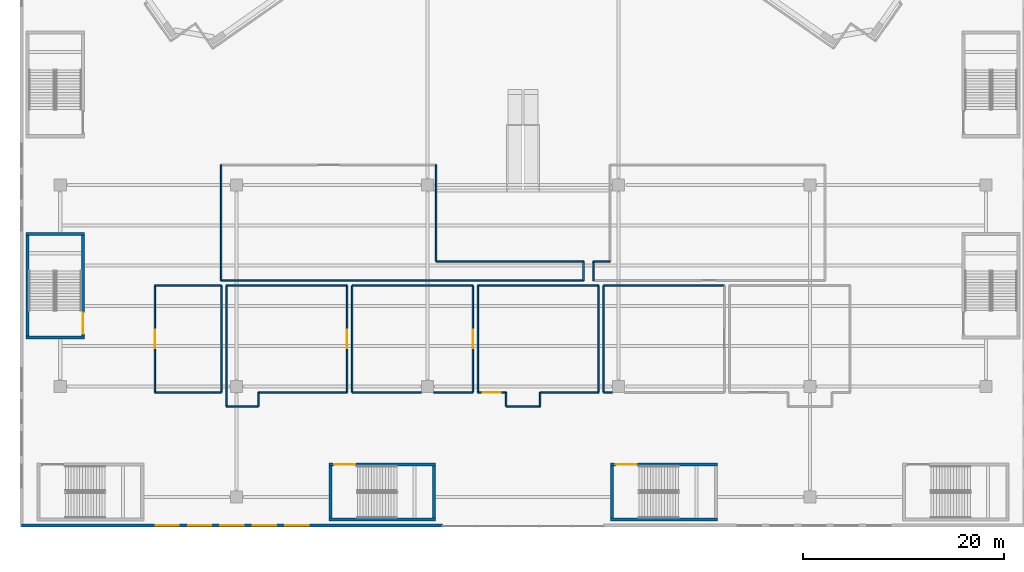
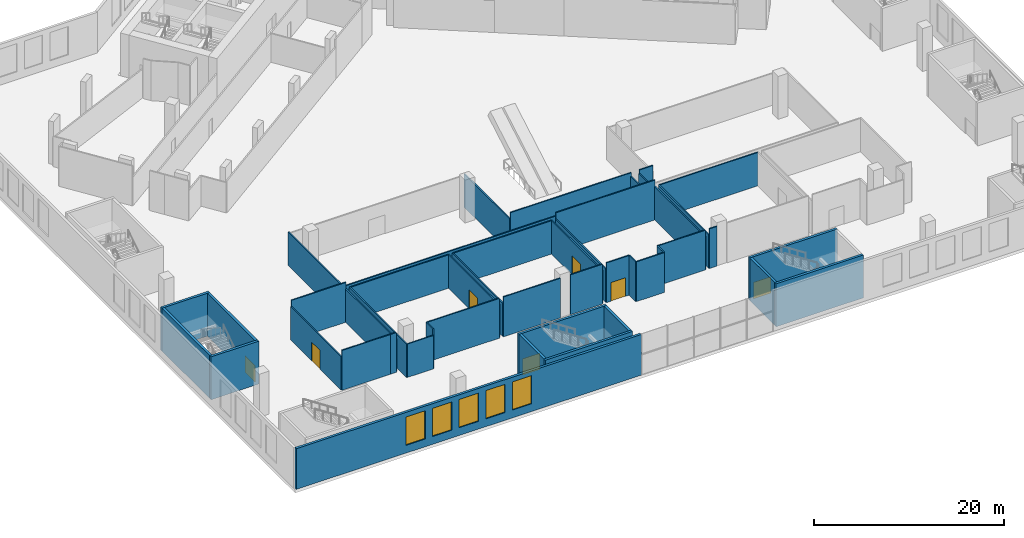
# One storey, part 5 of 26: 46 walls, 7 doors, 5 windows, 12 openings.
"""IFC4 building model written with IfcOpenShell, lengths in metres."""

from ifc_helpers import new_model, si_unit, direction, frame, frame_2d, origin, place, context, subcontext, project, spatial, rectangle, extrude, material, layer, layer_set, type_object, element, fill, save


model = new_model("IFC4")

# Units and contexts
model_context = context("Model", 3, precision=1e-05, world=origin(), true_north=direction((0.0, 1.0)))
body_context = subcontext(model_context, "Body", "Model", "MODEL_VIEW")
ifc_project = project(units=[si_unit("LENGTHUNIT", "METRE"), si_unit("AREAUNIT", "SQUARE_METRE"), si_unit("VOLUMEUNIT", "CUBIC_METRE"), si_unit("PLANEANGLEUNIT", "RADIAN"), si_unit("MASSUNIT", "GRAM", prefix="KILO")], contexts=[model_context])

# Site, building, storey
site_placement = place(None, origin())
site = spatial("IfcSite", under=ifc_project, at=site_placement, CompositionType="ELEMENT")
building_placement = place(site_placement, origin())
building = spatial("IfcBuilding", under=site, at=building_placement, Name="Tel Ilan Convention Tower", CompositionType="ELEMENT")
storey_placement = place(building_placement, frame((0.0, 0.0, 32.0)))
storey = spatial("IfcBuildingStorey", under=building, at=storey_placement, Name="L04", CompositionType="ELEMENT", Elevation=32.0)

# Walls
ifc_material_1 = material(Name="Plasterboard on Steel Studs", Category="steel")
ifc_layer_1 = layer(ifc_material_1, 0.14990234375)
ifc_layer_set_1 = layer_set([ifc_layer_1], Name="Fire-rated Partition 150 EI 60")
wall_type_1 = type_object("IfcWallType", Name="Fire-rated Partition 150 EI 60", PredefinedType="PARTITIONING", material=ifc_layer_set_1)
wall_1_placement = place(storey_placement, frame((-30.698974609375, -68.60107421875, 0.0), z_axis=(0.0, 0.0, 1.0), x_axis=(1.0, 0.0, 0.0)))
element("IfcWall", 1, at=wall_1_placement, inside=storey, type_object=wall_type_1, Name="Partition 027", PredefinedType="PARTITIONING", context=body_context, shape_type="SweptSolid", body=[
    extrude(rectangle(XDim=0.698974609375, YDim=0.14990234375, at=frame_2d((0.349609375, 0.0))), origin(), (0.0, 0.0, 1.0), 5.10009765625),
])
wall_2_placement = place(storey_placement, frame((-29.9990234375, -68.60009765625, 0.0), z_axis=(0.0, 0.0, 1.0), x_axis=(0.0, 1.0, 0.0)))
element("IfcWall", 2, at=wall_2_placement, inside=storey, type_object=wall_type_1, Name="Partition 028", PredefinedType="PARTITIONING", context=body_context, shape_type="SweptSolid", body=[
    extrude(rectangle(XDim=10.60009765625, YDim=0.14990234375, at=frame_2d((5.300048828125, 0.0))), origin(), (0.0, 0.0, 1.0), 4.280029296875),
])
wall_3_placement = place(storey_placement, frame((-30.0, -57.9990234375, 0.0), z_axis=(0.0, 0.0, 1.0), x_axis=(-1.0, 0.0, 0.0)))
element("IfcWall", 3, at=wall_3_placement, inside=storey, type_object=wall_type_1, Name="Partition 029", PredefinedType="PARTITIONING", context=body_context, shape_type="SweptSolid", body=[
    extrude(rectangle(XDim=6.59912109375, YDim=0.14990234375, at=frame_2d((3.299560546875, 0.0))), origin(), (0.0, 0.0, 1.0), 5.10009765625),
])

# Wall, opening, door
wall_4_placement = place(storey_placement, frame((-17.4990234375, -68.59912109375, 0.0), z_axis=(0.0, 0.0, 1.0), x_axis=(0.0, 1.0, 0.0)))
wall_4 = element("IfcWall", 4, at=wall_4_placement, inside=storey, type_object=wall_type_1, Name="Partition 030", PredefinedType="PARTITIONING", context=body_context, shape_type="SweptSolid", body=[
    extrude(rectangle(XDim=10.59912109375, YDim=0.14990234375, at=frame_2d((5.299560546875, 0.0))), origin(), (0.0, 0.0, 1.0), 4.280029296875),
])
opening_1_placement = place(wall_4_placement, frame((4.3994140625, 0.0, 0.0)))
opening_1 = element("IfcOpeningElement", 5, at=opening_1_placement, cuts=wall_4, Name="Opening L04-008", PredefinedType="OPENING", context=body_context, shape_type="SweptSolid", body=[
    extrude(rectangle(XDim=1.800048828125, YDim=2.39990234375, at=frame_2d((0.89990234375, 1.199951171875))), frame((0.0, 0.0849609375, 0.0), z_axis=(0.0, -1.0, 0.0), x_axis=(1.0, 0.0, 0.0)), (0.0, 0.0, 1.0), 0.169921875),
])
ifc_material_2 = material(Name="Timber Door Leaf in Steel Frame", Category="steel")
door_type_1 = type_object("IfcDoorType", Name="Hall Double Fire Door 1800x2400", OperationType="NOTDEFINED", PredefinedType="DOOR", material=ifc_material_2)
door_1_placement = place(opening_1_placement, origin())
door_1 = element("IfcDoor", 6, at=door_1_placement, inside=storey, type_object=door_type_1, Name="Door L04-008", OperationType="DOUBLE_DOOR_SINGLE_SWING", OverallHeight=2.39990234375, OverallWidth=1.800048828125, PredefinedType="DOOR", context=body_context, shape_type="SweptSolid", body=[
    extrude(rectangle(XDim=1.800048828125, YDim=2.39990234375, at=frame_2d((0.89990234375, 1.199951171875))), frame((0.0, 0.02490234375, 0.0), z_axis=(0.0, -1.0, 0.0), x_axis=(1.0, 0.0, 0.0)), (0.0, 0.0, 1.0), 0.050048828125),
])
fill(opening_1, door_1)

# Walls
for number, where, z_axis, x_axis, name in (
    (7, (-17.5, -57.9990234375, 0.0), (0.0, 0.0, 1.0), (-1.0, 0.0, 0.0), "Partition 031"),
    (8, (-29.5009765625, -58.0, 0.0), (0.0, 0.0, 1.0), (0.0, -1.0, 0.0), "Partition 032"),
):
    element("IfcWall", number, at=place(storey_placement, frame(where, z_axis=z_axis, x_axis=x_axis)), inside=storey, type_object=wall_type_1, Name=name, PredefinedType="PARTITIONING", context=body_context, shape_type="SweptSolid", body=[
        extrude(rectangle(XDim=12.0, YDim=0.14990234375, at=frame_2d((6.0, 0.0))), origin(), (0.0, 0.0, 1.0), 4.280029296875),
    ])
wall_5_placement = place(storey_placement, frame((-29.5, -70.0009765625, 0.0), z_axis=(0.0, 0.0, 1.0), x_axis=(1.0, 0.0, 0.0)))
element("IfcWall", 9, at=wall_5_placement, inside=storey, type_object=wall_type_1, Name="Partition 033", PredefinedType="PARTITIONING", context=body_context, shape_type="SweptSolid", body=[
    extrude(rectangle(XDim=3.198974609375, YDim=0.14990234375, at=frame_2d((1.599609375, 0.0))), origin(), (0.0, 0.0, 1.0), 4.280029296875),
])

# Wall, opening, door
wall_6_placement = place(storey_placement, frame((-4.9990234375, -68.59912109375, 0.0), z_axis=(0.0, 0.0, 1.0), x_axis=(0.0, 1.0, 0.0)))
wall_6 = element("IfcWall", 10, at=wall_6_placement, inside=storey, type_object=wall_type_1, Name="Partition 034", PredefinedType="PARTITIONING", context=body_context, shape_type="SweptSolid", body=[
    extrude(rectangle(XDim=10.59912109375, YDim=0.14990234375, at=frame_2d((5.299560546875, 0.0))), origin(), (0.0, 0.0, 1.0), 4.280029296875),
])
opening_2_placement = place(wall_6_placement, frame((4.3994140625, 0.0, 0.0)))
opening_2 = element("IfcOpeningElement", 11, at=opening_2_placement, cuts=wall_6, Name="Opening L04-009", PredefinedType="OPENING", context=body_context, shape_type="SweptSolid", body=[
    extrude(rectangle(XDim=1.800048828125, YDim=2.39990234375, at=frame_2d((0.89990234375, 1.199951171875))), frame((0.0, 0.0849609375, 0.0), z_axis=(0.0, -1.0, 0.0), x_axis=(1.0, 0.0, 0.0)), (0.0, 0.0, 1.0), 0.169921875),
])
door_2_placement = place(opening_2_placement, origin())
door_2 = element("IfcDoor", 12, at=door_2_placement, inside=storey, type_object=door_type_1, Name="Door L04-009", OperationType="DOUBLE_DOOR_SINGLE_SWING", OverallHeight=2.39990234375, OverallWidth=1.800048828125, PredefinedType="DOOR", context=body_context, shape_type="SweptSolid", body=[
    extrude(rectangle(XDim=1.800048828125, YDim=2.39990234375, at=frame_2d((0.89990234375, 1.199951171875))), frame((0.0, 0.02490234375, 0.0), z_axis=(0.0, -1.0, 0.0), x_axis=(1.0, 0.0, 0.0)), (0.0, 0.0, 1.0), 0.050048828125),
])
fill(opening_2, door_2)

# Walls
wall_7_placement = place(storey_placement, frame((-5.0, -57.9990234375, 0.0), z_axis=(0.0, 0.0, 1.0), x_axis=(-1.0, 0.0, 0.0)))
element("IfcWall", 13, at=wall_7_placement, inside=storey, type_object=wall_type_1, Name="Partition 035", PredefinedType="PARTITIONING", context=body_context, shape_type="SweptSolid", body=[
    extrude(rectangle(XDim=12.0, YDim=0.14990234375, at=frame_2d((6.0, 0.0))), origin(), (0.0, 0.0, 1.0), 4.280029296875),
])
for number, where, z_axis, x_axis, name in (
    (14, (-17.0009765625, -58.0, 0.0), (0.0, 0.0, 1.0), (0.0, -1.0, 0.0), "Partition 036"),
    (15, (7.5009765625, -68.59912109375, 0.0), (0.0, 0.0, 1.0), (0.0, 1.0, 0.0), "Partition 037"),
):
    element("IfcWall", number, at=place(storey_placement, frame(where, z_axis=z_axis, x_axis=x_axis)), inside=storey, type_object=wall_type_1, Name=name, PredefinedType="PARTITIONING", context=body_context, shape_type="SweptSolid", body=[
        extrude(rectangle(XDim=10.59912109375, YDim=0.14990234375, at=frame_2d((5.299560546875, 0.0))), origin(), (0.0, 0.0, 1.0), 4.280029296875),
    ])
wall_8_placement = place(storey_placement, frame((7.5, -57.9990234375, 0.0), z_axis=(0.0, 0.0, 1.0), x_axis=(-1.0, 0.0, 0.0)))
element("IfcWall", 16, at=wall_8_placement, inside=storey, type_object=wall_type_1, Name="Partition 038", PredefinedType="PARTITIONING", context=body_context, shape_type="SweptSolid", body=[
    extrude(rectangle(XDim=12.0, YDim=0.14990234375, at=frame_2d((6.0, 0.0))), origin(), (0.0, 0.0, 1.0), 5.10009765625),
])
wall_9_placement = place(storey_placement, frame((-4.5009765625, -58.0, 0.0), z_axis=(0.0, 0.0, 1.0), x_axis=(0.0, -1.0, 0.0)))
element("IfcWall", 17, at=wall_9_placement, inside=storey, type_object=wall_type_1, Name="Partition 039", PredefinedType="PARTITIONING", context=body_context, shape_type="SweptSolid", body=[
    extrude(rectangle(XDim=10.59912109375, YDim=0.14990234375, at=frame_2d((5.299560546875, 0.0))), origin(), (0.0, 0.0, 1.0), 4.280029296875),
])
wall_10_placement = place(storey_placement, frame((20.0, -57.9990234375, 0.0), z_axis=(0.0, 0.0, 1.0), x_axis=(-1.0, 0.0, 0.0)))
element("IfcWall", 18, at=wall_10_placement, inside=storey, type_object=wall_type_1, Name="Partition 041", PredefinedType="PARTITIONING", context=body_context, shape_type="SweptSolid", body=[
    extrude(rectangle(XDim=12.0, YDim=0.14990234375, at=frame_2d((6.0, 0.0))), origin(), (0.0, 0.0, 1.0), 4.280029296875),
])
wall_11_placement = place(storey_placement, frame((7.9990234375, -58.0, 0.0), z_axis=(0.0, 0.0, 1.0), x_axis=(0.0, -1.0, 0.0)))
element("IfcWall", 19, at=wall_11_placement, inside=storey, type_object=wall_type_1, Name="Partition 042", PredefinedType="PARTITIONING", context=body_context, shape_type="SweptSolid", body=[
    extrude(rectangle(XDim=10.59912109375, YDim=0.14990234375, at=frame_2d((5.299560546875, 0.0))), origin(), (0.0, 0.0, 1.0), 4.280029296875),
])
wall_12_placement = place(storey_placement, frame((-30.0009765625, -46.0, 0.0), z_axis=(0.0, 0.0, 1.0), x_axis=(0.0, -1.0, 0.0)))
element("IfcWall", 20, at=wall_12_placement, inside=storey, type_object=wall_type_1, Name="Partition 047", PredefinedType="PARTITIONING", context=body_context, shape_type="SweptSolid", body=[
    extrude(rectangle(XDim=11.5, YDim=0.14990234375, at=frame_2d((5.75, 0.0))), origin(), (0.0, 0.0, 1.0), 4.280029296875),
])
wall_13_placement = place(storey_placement, frame((-30.0, -57.5009765625, 0.0), z_axis=(0.0, 0.0, 1.0), x_axis=(1.0, 0.0, 0.0)))
element("IfcWall", 21, at=wall_13_placement, inside=storey, type_object=wall_type_1, Name="Partition 048", PredefinedType="PARTITIONING", context=body_context, shape_type="SweptSolid", body=[
    extrude(rectangle(XDim=36.0, YDim=0.14990234375, at=frame_2d((18.0, 0.0))), origin(), (0.0, 0.0, 1.0), 4.280029296875),
])
for number, where, z_axis, x_axis, name in (
    (22, (6.0009765625, -57.5, 0.0), (0.0, 0.0, 1.0), (0.0, 1.0, 0.0), "Partition 049"),
    (23, (6.9990234375, -55.5869140625, 0.0), (0.0, 0.0, 1.0), (0.0, -1.0, 0.0), "Partition 050"),
):
    element("IfcWall", number, at=place(storey_placement, frame(where, z_axis=z_axis, x_axis=x_axis)), inside=storey, type_object=wall_type_1, Name=name, PredefinedType="PARTITIONING", context=body_context, shape_type="SweptSolid", body=[
        extrude(rectangle(XDim=1.9130859375, YDim=0.14990234375, at=frame_2d((0.95654296875, 0.0))), origin(), (0.0, 0.0, 1.0), 4.6298828125),
    ])
wall_14_placement = place(storey_placement, frame((-1.698974609375, -70.0009765625, 0.0), z_axis=(0.0, 0.0, 1.0), x_axis=(1.0, 0.0, 0.0)))
element("IfcWall", 24, at=wall_14_placement, inside=storey, type_object=wall_type_1, Name="Partition 060", PredefinedType="PARTITIONING", context=body_context, shape_type="SweptSolid", body=[
    extrude(rectangle(XDim=3.39794921875, YDim=0.14990234375, at=frame_2d((1.698974609375, 0.0))), origin(), (0.0, 0.0, 1.0), 5.10009765625),
])

# Wall, opening, door
wall_15_placement = place(storey_placement, frame((-36.60009765625, -57.998291015625, 0.0), z_axis=(0.0, 0.0, 1.0), x_axis=(0.0, -1.0, 0.0)))
wall_15 = element("IfcWall", 25, at=wall_15_placement, inside=storey, type_object=wall_type_1, Name="Partition 063", PredefinedType="PARTITIONING", context=body_context, shape_type="SweptSolid", body=[
    extrude(rectangle(XDim=10.601806640625, YDim=0.14990234375, at=frame_2d((5.30078125, 0.0))), origin(), (0.0, 0.0, 1.0), 4.280029296875),
])
opening_3_placement = place(wall_15_placement, frame((4.40087890625, 0.0, 0.0)))
opening_3 = element("IfcOpeningElement", 26, at=opening_3_placement, cuts=wall_15, Name="Opening L04-007", PredefinedType="OPENING", context=body_context, shape_type="SweptSolid", body=[
    extrude(rectangle(XDim=1.800048828125, YDim=2.39990234375, at=frame_2d((0.89990234375, 1.199951171875))), frame((0.0, 0.0849609375, 0.0), z_axis=(0.0, -1.0, 0.0), x_axis=(1.0, 0.0, 0.0)), (0.0, 0.0, 1.0), 0.169921875),
])
door_3_placement = place(opening_3_placement, origin())
door_3 = element("IfcDoor", 27, at=door_3_placement, inside=storey, type_object=door_type_1, Name="Door L04-007", OperationType="DOUBLE_DOOR_SINGLE_SWING", OverallHeight=2.39990234375, OverallWidth=1.800048828125, PredefinedType="DOOR", context=body_context, shape_type="SweptSolid", body=[
    extrude(rectangle(XDim=1.800048828125, YDim=2.39990234375, at=frame_2d((0.89990234375, 1.199951171875))), frame((0.0, 0.02490234375, 0.0), z_axis=(0.0, -1.0, 0.0), x_axis=(1.0, 0.0, 0.0)), (0.0, 0.0, 1.0), 0.050048828125),
])
fill(opening_3, door_3)

# Walls
wall_16_placement = place(storey_placement, frame((-36.60009765625, -68.60009765625, 0.0), z_axis=(0.0, 0.0, 1.0), x_axis=(1.0, 0.0, 0.0)))
element("IfcWall", 28, at=wall_16_placement, inside=storey, type_object=wall_type_1, Name="Partition 064", PredefinedType="PARTITIONING", context=body_context, shape_type="SweptSolid", body=[
    extrude(rectangle(XDim=5.900146484375, YDim=0.14990234375, at=frame_2d((2.9501953125, 0.0))), origin(), (0.0, 0.0, 1.0), 5.10009765625),
])
wall_17_placement = place(storey_placement, frame((-26.300048828125, -70.001708984375, 0.0), z_axis=(0.0, 0.0, 1.0), x_axis=(0.0, 1.0, 0.0)))
element("IfcWall", 29, at=wall_17_placement, inside=storey, type_object=wall_type_1, Name="Partition 065", PredefinedType="PARTITIONING", context=body_context, shape_type="SweptSolid", body=[
    extrude(rectangle(XDim=1.401611328125, YDim=0.14990234375, at=frame_2d((0.70068359375, 0.0))), origin(), (0.0, 0.0, 1.0), 5.10009765625),
])
wall_18_placement = place(storey_placement, frame((-26.300048828125, -68.60009765625, 0.0), z_axis=(0.0, 0.0, 1.0), x_axis=(1.0, 0.0, 0.0)))
element("IfcWall", 30, at=wall_18_placement, inside=storey, type_object=wall_type_1, Name="Partition 066", PredefinedType="PARTITIONING", context=body_context, shape_type="SweptSolid", body=[
    extrude(rectangle(XDim=8.8017578125, YDim=0.14990234375, at=frame_2d((4.40087890625, 0.0))), origin(), (0.0, 0.0, 1.0), 5.10009765625),
])
wall_19_placement = place(storey_placement, frame((-17.001708984375, -68.60009765625, 0.0), z_axis=(0.0, 0.0, 1.0), x_axis=(1.0, 0.0, 0.0)))
element("IfcWall", 31, at=wall_19_placement, inside=storey, type_object=wall_type_1, Name="Partition 067", PredefinedType="PARTITIONING", context=body_context, shape_type="SweptSolid", body=[
    extrude(rectangle(XDim=6.881591796875, YDim=0.14990234375, at=frame_2d((3.44091796875, 0.0))), origin(), (0.0, 0.0, 1.0), 5.10009765625),
])
wall_20_placement = place(storey_placement, frame((-8.8798828125, -68.60009765625, 0.0), z_axis=(0.0, 0.0, 1.0), x_axis=(1.0, 0.0, 0.0)))
element("IfcWall", 32, at=wall_20_placement, inside=storey, type_object=wall_type_1, Name="Partition 068", PredefinedType="PARTITIONING", context=body_context, shape_type="SweptSolid", body=[
    extrude(rectangle(XDim=3.881591796875, YDim=0.14990234375, at=frame_2d((1.94091796875, 0.0))), origin(), (0.0, 0.0, 1.0), 5.10009765625),
])

# Wall, opening, door
wall_21_placement = place(storey_placement, frame((-4.501708984375, -68.60009765625, 0.0), z_axis=(0.0, 0.0, 1.0), x_axis=(1.0, 0.0, 0.0)))
wall_21 = element("IfcWall", 33, at=wall_21_placement, inside=storey, type_object=wall_type_1, Name="Partition 069", PredefinedType="PARTITIONING", context=body_context, shape_type="SweptSolid", body=[
    extrude(rectangle(XDim=2.8017578125, YDim=0.14990234375, at=frame_2d((1.40087890625, 0.0))), origin(), (0.0, 0.0, 1.0), 5.10009765625),
])
opening_4_placement = place(wall_21_placement, frame((0.5009765625, 0.0, 0.0)))
opening_4 = element("IfcOpeningElement", 34, at=opening_4_placement, cuts=wall_21, Name="Opening L04-010", PredefinedType="OPENING", context=body_context, shape_type="SweptSolid", body=[
    extrude(rectangle(XDim=1.800048828125, YDim=2.39990234375, at=frame_2d((0.89990234375, 1.199951171875))), frame((0.0, 0.0849609375, 0.0), z_axis=(0.0, -1.0, 0.0), x_axis=(1.0, 0.0, 0.0)), (0.0, 0.0, 1.0), 0.169921875),
])
door_4_placement = place(opening_4_placement, origin())
door_4 = element("IfcDoor", 35, at=door_4_placement, inside=storey, type_object=door_type_1, Name="Door L04-010", OperationType="DOUBLE_DOOR_SINGLE_SWING", OverallHeight=2.39990234375, OverallWidth=1.800048828125, PredefinedType="DOOR", context=body_context, shape_type="SweptSolid", body=[
    extrude(rectangle(XDim=1.800048828125, YDim=2.39990234375, at=frame_2d((0.89990234375, 1.199951171875))), frame((0.0, 0.02490234375, 0.0), z_axis=(0.0, -1.0, 0.0), x_axis=(1.0, 0.0, 0.0)), (0.0, 0.0, 1.0), 0.050048828125),
])
fill(opening_4, door_4)

# Walls
for number, where, z_axis, x_axis, name in (
    (36, (-1.699951171875, -68.60009765625, 0.0), (0.0, 0.0, 1.0), (0.0, -1.0, 0.0), "Partition 070"),
    (37, (1.699951171875, -70.001708984375, 0.0), (0.0, 0.0, 1.0), (0.0, 1.0, 0.0), "Partition 071"),
):
    element("IfcWall", number, at=place(storey_placement, frame(where, z_axis=z_axis, x_axis=x_axis)), inside=storey, type_object=wall_type_1, Name=name, PredefinedType="PARTITIONING", context=body_context, shape_type="SweptSolid", body=[
        extrude(rectangle(XDim=1.401611328125, YDim=0.14990234375, at=frame_2d((0.70068359375, 0.0))), origin(), (0.0, 0.0, 1.0), 5.10009765625),
    ])
wall_22_placement = place(storey_placement, frame((1.699951171875, -68.60009765625, 0.0), z_axis=(0.0, 0.0, 1.0), x_axis=(1.0, 0.0, 0.0)))
element("IfcWall", 38, at=wall_22_placement, inside=storey, type_object=wall_type_1, Name="Partition 072", PredefinedType="PARTITIONING", context=body_context, shape_type="SweptSolid", body=[
    extrude(rectangle(XDim=5.8017578125, YDim=0.14990234375, at=frame_2d((2.90087890625, 0.0))), origin(), (0.0, 0.0, 1.0), 5.10009765625),
])
wall_23_placement = place(storey_placement, frame((7.998291015625, -68.60009765625, 0.0), z_axis=(0.0, 0.0, 1.0), x_axis=(1.0, 0.0, 0.0)))
element("IfcWall", 39, at=wall_23_placement, inside=storey, type_object=wall_type_1, Name="Partition 073", PredefinedType="PARTITIONING", context=body_context, shape_type="SweptSolid", body=[
    extrude(rectangle(XDim=0.881591796875, YDim=0.14990234375, at=frame_2d((0.44091796875, 0.0))), origin(), (0.0, 0.0, 1.0), 5.10009765625),
])
wall_24_placement = place(storey_placement, frame((6.001708984375, -55.5859375, 0.0), z_axis=(0.0, 0.0, 1.0), x_axis=(-1.0, 0.0, 0.0)))
element("IfcWall", 40, at=wall_24_placement, inside=storey, type_object=wall_type_1, Name="Partition 083", PredefinedType="PARTITIONING", context=body_context, shape_type="SweptSolid", body=[
    extrude(rectangle(XDim=14.651611328125, YDim=0.14990234375, at=frame_2d((7.32568359375, 0.0))), origin(), (0.0, 0.0, 1.0), 5.10009765625),
])
wall_25_placement = place(storey_placement, frame((-8.64990234375, -55.5859375, 0.0), z_axis=(0.0, 0.0, 1.0), x_axis=(0.0, 1.0, 0.0)))
element("IfcWall", 41, at=wall_25_placement, inside=storey, type_object=wall_type_1, Name="Partition 084", PredefinedType="PARTITIONING", context=body_context, shape_type="SweptSolid", body=[
    extrude(rectangle(XDim=9.587646484375, YDim=0.14990234375, at=frame_2d((4.7939453125, 0.0))), origin(), (0.0, 0.0, 1.0), 4.280029296875),
])
wall_26_placement = place(storey_placement, frame((8.64990234375, -55.5859375, 0.0), z_axis=(0.0, 0.0, 1.0), x_axis=(-1.0, 0.0, 0.0)))
element("IfcWall", 42, at=wall_26_placement, inside=storey, type_object=wall_type_1, Name="Partition 085", PredefinedType="PARTITIONING", context=body_context, shape_type="SweptSolid", body=[
    extrude(rectangle(XDim=1.651611328125, YDim=0.14990234375, at=frame_2d((0.82568359375, 0.0))), origin(), (0.0, 0.0, 1.0), 5.10009765625),
])

# Wall, openings, windows
ifc_material_3 = material(Name="Bronze aluminium cladding panel on insulated steel frame", Category="steel")
ifc_layer_2 = layer(ifc_material_3, 0.300048828125)
ifc_layer_set_2 = layer_set([ifc_layer_2], Name="PODIUM CLADDING WALL 300")
wall_type_2 = type_object("IfcWallType", Name="PODIUM CLADDING WALL 300", PredefinedType="SOLIDWALL", material=ifc_layer_set_2)
wall_27_placement = place(storey_placement, frame((-49.85009765625, -81.85009765625, 0.0), z_axis=(0.0, 0.0, 1.0), x_axis=(1.0, 0.0, 0.0)))
wall_27 = element("IfcWall", 43, at=wall_27_placement, inside=storey, type_object=wall_type_2, Name="Podium cladding wall", PredefinedType="SOLIDWALL", context=body_context, shape_type="SweptSolid", body=[
    extrude(rectangle(XDim=41.85009765625, YDim=0.300048828125, at=frame_2d((20.925048828125, 0.0))), origin(), (0.0, 0.0, 1.0), 5.219970703125),
])
opening_5_placement = place(wall_27_placement, frame((13.326904296875, 0.0, 1.0)))
opening_5 = element("IfcOpeningElement", 44, at=opening_5_placement, cuts=wall_27, Name="Opening W-07.001", PredefinedType="OPENING", context=body_context, shape_type="SweptSolid", body=[
    extrude(rectangle(XDim=2.3193359375, YDim=3.6201171875, at=frame_2d((1.15966796875, 1.81005859375))), frame((0.0, 0.159912109375, 0.0), z_axis=(0.0, -1.0, 0.0), x_axis=(1.0, 0.0, 0.0)), (0.0, 0.0, 1.0), 0.320068359375),
])
opening_6_placement = place(wall_27_placement, frame((16.546142578125, 0.0, 1.0)))
opening_6 = element("IfcOpeningElement", 45, at=opening_6_placement, cuts=wall_27, Name="Opening W-07.002", PredefinedType="OPENING", context=body_context, shape_type="SweptSolid", body=[
    extrude(rectangle(XDim=2.3193359375, YDim=3.6201171875, at=frame_2d((1.15966796875, 1.81005859375))), frame((0.0, 0.159912109375, 0.0), z_axis=(0.0, -1.0, 0.0), x_axis=(1.0, 0.0, 0.0)), (0.0, 0.0, 1.0), 0.320068359375),
])
opening_7_placement = place(wall_27_placement, frame((19.765380859375, 0.0, 1.0)))
opening_7 = element("IfcOpeningElement", 46, at=opening_7_placement, cuts=wall_27, Name="Opening W-07.003", PredefinedType="OPENING", context=body_context, shape_type="SweptSolid", body=[
    extrude(rectangle(XDim=2.3193359375, YDim=3.6201171875, at=frame_2d((1.15966796875, 1.81005859375))), frame((0.0, 0.159912109375, 0.0), z_axis=(0.0, -1.0, 0.0), x_axis=(1.0, 0.0, 0.0)), (0.0, 0.0, 1.0), 0.320068359375),
])
opening_8_placement = place(wall_27_placement, frame((22.984619140625, 0.0, 1.0)))
opening_8 = element("IfcOpeningElement", 47, at=opening_8_placement, cuts=wall_27, Name="Opening W-07.004", PredefinedType="OPENING", context=body_context, shape_type="SweptSolid", body=[
    extrude(rectangle(XDim=2.3193359375, YDim=3.6201171875, at=frame_2d((1.15966796875, 1.81005859375))), frame((0.0, 0.159912109375, 0.0), z_axis=(0.0, -1.0, 0.0), x_axis=(1.0, 0.0, 0.0)), (0.0, 0.0, 1.0), 0.320068359375),
])
opening_9_placement = place(wall_27_placement, frame((26.203857421875, 0.0, 1.0)))
opening_9 = element("IfcOpeningElement", 48, at=opening_9_placement, cuts=wall_27, Name="Opening W-07.005", PredefinedType="OPENING", context=body_context, shape_type="SweptSolid", body=[
    extrude(rectangle(XDim=2.3193359375, YDim=3.6201171875, at=frame_2d((1.15966796875, 1.81005859375))), frame((0.0, 0.159912109375, 0.0), z_axis=(0.0, -1.0, 0.0), x_axis=(1.0, 0.0, 0.0)), (0.0, 0.0, 1.0), 0.320068359375),
])
ifc_material_4 = material(Name="Aluminium framed glazing, bronze anodised, tinted glass", Category="aluminium")
window_type = type_object("IfcWindowType", Name="PODIUM WINDOW 2319x3620", PartitioningType="SINGLE_PANEL", PredefinedType="WINDOW", material=ifc_material_4)
window_1_placement = place(opening_5_placement, origin())
window_1 = element("IfcWindow", 49, at=window_1_placement, inside=storey, type_object=window_type, Name="Podium window", OverallHeight=3.6201171875, OverallWidth=2.3193359375, PartitioningType="SINGLE_PANEL", PredefinedType="WINDOW", context=body_context, shape_type="SweptSolid", body=[
    extrude(rectangle(XDim=2.3193359375, YDim=3.6201171875, at=frame_2d((1.15966796875, 1.81005859375))), frame((0.0, 0.030029296875, 0.0), z_axis=(0.0, -1.0, 0.0), x_axis=(1.0, 0.0, 0.0)), (0.0, 0.0, 1.0), 0.06005859375),
])
fill(opening_5, window_1)
window_2_placement = place(opening_6_placement, origin())
window_2 = element("IfcWindow", 50, at=window_2_placement, inside=storey, type_object=window_type, Name="Podium window", OverallHeight=3.6201171875, OverallWidth=2.3193359375, PartitioningType="SINGLE_PANEL", PredefinedType="WINDOW", context=body_context, shape_type="SweptSolid", body=[
    extrude(rectangle(XDim=2.3193359375, YDim=3.6201171875, at=frame_2d((1.15966796875, 1.81005859375))), frame((0.0, 0.030029296875, 0.0), z_axis=(0.0, -1.0, 0.0), x_axis=(1.0, 0.0, 0.0)), (0.0, 0.0, 1.0), 0.06005859375),
])
fill(opening_6, window_2)
window_3_placement = place(opening_7_placement, origin())
window_3 = element("IfcWindow", 51, at=window_3_placement, inside=storey, type_object=window_type, Name="Podium window", OverallHeight=3.6201171875, OverallWidth=2.3193359375, PartitioningType="SINGLE_PANEL", PredefinedType="WINDOW", context=body_context, shape_type="SweptSolid", body=[
    extrude(rectangle(XDim=2.3193359375, YDim=3.6201171875, at=frame_2d((1.15966796875, 1.81005859375))), frame((0.0, 0.030029296875, 0.0), z_axis=(0.0, -1.0, 0.0), x_axis=(1.0, 0.0, 0.0)), (0.0, 0.0, 1.0), 0.06005859375),
])
fill(opening_7, window_3)
window_4_placement = place(opening_8_placement, origin())
window_4 = element("IfcWindow", 52, at=window_4_placement, inside=storey, type_object=window_type, Name="Podium window", OverallHeight=3.6201171875, OverallWidth=2.3193359375, PartitioningType="SINGLE_PANEL", PredefinedType="WINDOW", context=body_context, shape_type="SweptSolid", body=[
    extrude(rectangle(XDim=2.3193359375, YDim=3.6201171875, at=frame_2d((1.15966796875, 1.81005859375))), frame((0.0, 0.030029296875, 0.0), z_axis=(0.0, -1.0, 0.0), x_axis=(1.0, 0.0, 0.0)), (0.0, 0.0, 1.0), 0.06005859375),
])
fill(opening_8, window_4)
window_5_placement = place(opening_9_placement, origin())
window_5 = element("IfcWindow", 53, at=window_5_placement, inside=storey, type_object=window_type, Name="Podium window", OverallHeight=3.6201171875, OverallWidth=2.3193359375, PartitioningType="SINGLE_PANEL", PredefinedType="WINDOW", context=body_context, shape_type="SweptSolid", body=[
    extrude(rectangle(XDim=2.3193359375, YDim=3.6201171875, at=frame_2d((1.15966796875, 1.81005859375))), frame((0.0, 0.030029296875, 0.0), z_axis=(0.0, -1.0, 0.0), x_axis=(1.0, 0.0, 0.0)), (0.0, 0.0, 1.0), 0.06005859375),
])
fill(opening_9, window_5)

# Wall
ifc_material_5 = material(Name="Concrete C40/50", Category="concrete")
ifc_layer_3 = layer(ifc_material_5, 0.300048828125)
ifc_layer_set_3 = layer_set([ifc_layer_3], Name="Stair Enclosure Wall 300 mm C40/50")
wall_type_3 = type_object("IfcWallType", Name="Stair Enclosure Wall 300 mm C40/50", PredefinedType="SOLIDWALL", material=ifc_layer_set_3)
wall_28_placement = place(storey_placement, frame((-19.300048828125, -81.25, 0.0), z_axis=(0.0, 0.0, 1.0), x_axis=(1.0, 0.0, 0.0)))
element("IfcWall", 54, at=wall_28_placement, inside=storey, type_object=wall_type_3, Name="P2 stair enclosure wall S L04", PredefinedType="SOLIDWALL", context=body_context, shape_type="SweptSolid", body=[
    extrude(rectangle(XDim=10.60009765625, YDim=0.300048828125, at=frame_2d((5.300048828125, 0.0))), origin(), (0.0, 0.0, 1.0), 5.5),
])

# Wall, opening, door
wall_29_placement = place(storey_placement, frame((-19.300048828125, -75.75, 0.0), z_axis=(0.0, 0.0, 1.0), x_axis=(1.0, 0.0, 0.0)))
wall_29 = element("IfcWall", 55, at=wall_29_placement, inside=storey, type_object=wall_type_3, Name="P2 stair enclosure wall N L04", PredefinedType="SOLIDWALL", context=body_context, shape_type="SweptSolid", body=[
    extrude(rectangle(XDim=10.60009765625, YDim=0.300048828125, at=frame_2d((5.300048828125, 0.0))), origin(), (0.0, 0.0, 1.0), 5.5),
])
opening_10_placement = place(wall_29_placement, frame((0.512451171875, 0.0, 0.0)))
opening_10 = element("IfcOpeningElement", 56, at=opening_10_placement, cuts=wall_29, Name="Opening PD207", PredefinedType="OPENING", context=body_context, shape_type="SweptSolid", body=[
    extrude(rectangle(XDim=2.10009765625, YDim=2.10009765625, at=frame_2d((1.050048828125, 1.050048828125))), frame((0.0, 0.159912109375, 0.0), z_axis=(0.0, -1.0, 0.0), x_axis=(1.0, 0.0, 0.0)), (0.0, 0.0, 1.0), 0.320068359375),
])
ifc_material_6 = material(Name="Galvanised Steel Door Leaf", Category="steel")
door_type_2 = type_object("IfcDoorType", Name="Stair Fire Door 2100 x 2100 FD60S", OperationType="NOTDEFINED", PredefinedType="DOOR", material=ifc_material_6)
door_5_placement = place(opening_10_placement, origin())
door_5 = element("IfcDoor", 57, at=door_5_placement, inside=storey, type_object=door_type_2, Name="Stair P2 floor door", OperationType="DOUBLE_DOOR_SINGLE_SWING", OverallHeight=2.10009765625, OverallWidth=2.10009765625, PredefinedType="DOOR", context=body_context, shape_type="SweptSolid", body=[
    extrude(rectangle(XDim=2.10009765625, YDim=2.10009765625, at=frame_2d((1.050048828125, 1.050048828125))), frame((0.0, 0.02490234375, 0.0), z_axis=(0.0, -1.0, 0.0), x_axis=(1.0, 0.0, 0.0)), (0.0, 0.0, 1.0), 0.050048828125),
])
fill(opening_10, door_5)

# Walls
for number, where, z_axis, x_axis, name in (
    (58, (-19.14990234375, -81.10009765625, 0.0), (0.0, 0.0, 1.0), (0.0, 1.0, 0.0), "P2 stair enclosure wall W L04"),
    (59, (-8.85009765625, -81.10009765625, 0.0), (0.0, 0.0, 1.0), (0.0, 1.0, 0.0), "P2 stair enclosure wall E L04"),
):
    element("IfcWall", number, at=place(storey_placement, frame(where, z_axis=z_axis, x_axis=x_axis)), inside=storey, type_object=wall_type_3, Name=name, PredefinedType="SOLIDWALL", context=body_context, shape_type="SweptSolid", body=[
        extrude(rectangle(XDim=5.2001953125, YDim=0.300048828125, at=frame_2d((2.60009765625, 0.0))), origin(), (0.0, 0.0, 1.0), 5.5),
    ])
wall_30_placement = place(storey_placement, frame((8.699951171875, -81.25, 0.0), z_axis=(0.0, 0.0, 1.0), x_axis=(1.0, 0.0, 0.0)))
element("IfcWall", 60, at=wall_30_placement, inside=storey, type_object=wall_type_3, Name="P3 stair enclosure wall S L04", PredefinedType="SOLIDWALL", context=body_context, shape_type="SweptSolid", body=[
    extrude(rectangle(XDim=10.60009765625, YDim=0.300048828125, at=frame_2d((5.300048828125, 0.0))), origin(), (0.0, 0.0, 1.0), 5.5),
])

# Wall, opening, door
wall_31_placement = place(storey_placement, frame((8.699951171875, -75.75, 0.0), z_axis=(0.0, 0.0, 1.0), x_axis=(1.0, 0.0, 0.0)))
wall_31 = element("IfcWall", 61, at=wall_31_placement, inside=storey, type_object=wall_type_3, Name="P3 stair enclosure wall N L04", PredefinedType="SOLIDWALL", context=body_context, shape_type="SweptSolid", body=[
    extrude(rectangle(XDim=10.60009765625, YDim=0.300048828125, at=frame_2d((5.300048828125, 0.0))), origin(), (0.0, 0.0, 1.0), 5.5),
])
opening_11_placement = place(wall_31_placement, frame((0.512451171875, 0.0, 0.0)))
opening_11 = element("IfcOpeningElement", 62, at=opening_11_placement, cuts=wall_31, Name="Opening PD307", PredefinedType="OPENING", context=body_context, shape_type="SweptSolid", body=[
    extrude(rectangle(XDim=2.10009765625, YDim=2.10009765625, at=frame_2d((1.050048828125, 1.050048828125))), frame((0.0, 0.159912109375, 0.0), z_axis=(0.0, -1.0, 0.0), x_axis=(1.0, 0.0, 0.0)), (0.0, 0.0, 1.0), 0.320068359375),
])
door_6_placement = place(opening_11_placement, origin())
door_6 = element("IfcDoor", 63, at=door_6_placement, inside=storey, type_object=door_type_2, Name="Stair P3 floor door", OperationType="DOUBLE_DOOR_SINGLE_SWING", OverallHeight=2.10009765625, OverallWidth=2.10009765625, PredefinedType="DOOR", context=body_context, shape_type="SweptSolid", body=[
    extrude(rectangle(XDim=2.10009765625, YDim=2.10009765625, at=frame_2d((1.050048828125, 1.050048828125))), frame((0.0, 0.02490234375, 0.0), z_axis=(0.0, -1.0, 0.0), x_axis=(1.0, 0.0, 0.0)), (0.0, 0.0, 1.0), 0.050048828125),
])
fill(opening_11, door_6)

# Walls
wall_32_placement = place(storey_placement, frame((8.85009765625, -81.10009765625, 0.0), z_axis=(0.0, 0.0, 1.0), x_axis=(0.0, 1.0, 0.0)))
element("IfcWall", 64, at=wall_32_placement, inside=storey, type_object=wall_type_3, Name="P3 stair enclosure wall W L04", PredefinedType="SOLIDWALL", context=body_context, shape_type="SweptSolid", body=[
    extrude(rectangle(XDim=5.2001953125, YDim=0.300048828125, at=frame_2d((2.60009765625, 0.0))), origin(), (0.0, 0.0, 1.0), 5.5),
])
for number, where, z_axis, x_axis, name in (
    (65, (-49.39990234375, -63.14990234375, 0.0), (0.0, 0.0, 1.0), (1.0, 0.0, 0.0), "P5 stair enclosure wall S L04"),
    (66, (-49.39990234375, -52.85009765625, 0.0), (0.0, 0.0, 1.0), (1.0, 0.0, 0.0), "P5 stair enclosure wall N L04"),
):
    element("IfcWall", number, at=place(storey_placement, frame(where, z_axis=z_axis, x_axis=x_axis)), inside=storey, type_object=wall_type_3, Name=name, PredefinedType="SOLIDWALL", context=body_context, shape_type="SweptSolid", body=[
        extrude(rectangle(XDim=5.7998046875, YDim=0.300048828125, at=frame_2d((2.89990234375, 0.0))), origin(), (0.0, 0.0, 1.0), 5.5),
    ])
wall_33_placement = place(storey_placement, frame((-49.25, -63.0, 0.0), z_axis=(0.0, 0.0, 1.0), x_axis=(0.0, 1.0, 0.0)))
element("IfcWall", 67, at=wall_33_placement, inside=storey, type_object=wall_type_3, Name="P5 stair enclosure wall W L04", PredefinedType="SOLIDWALL", context=body_context, shape_type="SweptSolid", body=[
    extrude(rectangle(XDim=10.0, YDim=0.300048828125, at=frame_2d((5.0, 0.0))), origin(), (0.0, 0.0, 1.0), 5.5),
])

# Wall, opening, door
wall_34_placement = place(storey_placement, frame((-43.75, -63.0, 0.0), z_axis=(0.0, 0.0, 1.0), x_axis=(0.0, 1.0, 0.0)))
wall_34 = element("IfcWall", 68, at=wall_34_placement, inside=storey, type_object=wall_type_3, Name="P5 stair enclosure wall E L04", PredefinedType="SOLIDWALL", context=body_context, shape_type="SweptSolid", body=[
    extrude(rectangle(XDim=10.0, YDim=0.300048828125, at=frame_2d((5.0, 0.0))), origin(), (0.0, 0.0, 1.0), 5.5),
])
opening_12_placement = place(wall_34_placement, frame((0.21240234375, 0.0, 0.0)))
opening_12 = element("IfcOpeningElement", 69, at=opening_12_placement, cuts=wall_34, Name="Opening PD507", PredefinedType="OPENING", context=body_context, shape_type="SweptSolid", body=[
    extrude(rectangle(XDim=2.10009765625, YDim=2.10009765625, at=frame_2d((1.050048828125, 1.050048828125))), frame((0.0, 0.159912109375, 0.0), z_axis=(0.0, -1.0, 0.0), x_axis=(1.0, 0.0, 0.0)), (0.0, 0.0, 1.0), 0.320068359375),
])
door_7_placement = place(opening_12_placement, origin())
door_7 = element("IfcDoor", 70, at=door_7_placement, inside=storey, type_object=door_type_2, Name="Stair P5 floor door", OperationType="DOUBLE_DOOR_SINGLE_SWING", OverallHeight=2.10009765625, OverallWidth=2.10009765625, PredefinedType="DOOR", context=body_context, shape_type="SweptSolid", body=[
    extrude(rectangle(XDim=2.10009765625, YDim=2.10009765625, at=frame_2d((1.050048828125, 1.050048828125))), frame((0.0, 0.02490234375, 0.0), z_axis=(0.0, -1.0, 0.0), x_axis=(1.0, 0.0, 0.0)), (0.0, 0.0, 1.0), 0.050048828125),
])
fill(opening_12, door_7)

save(model, "model.ifc")
